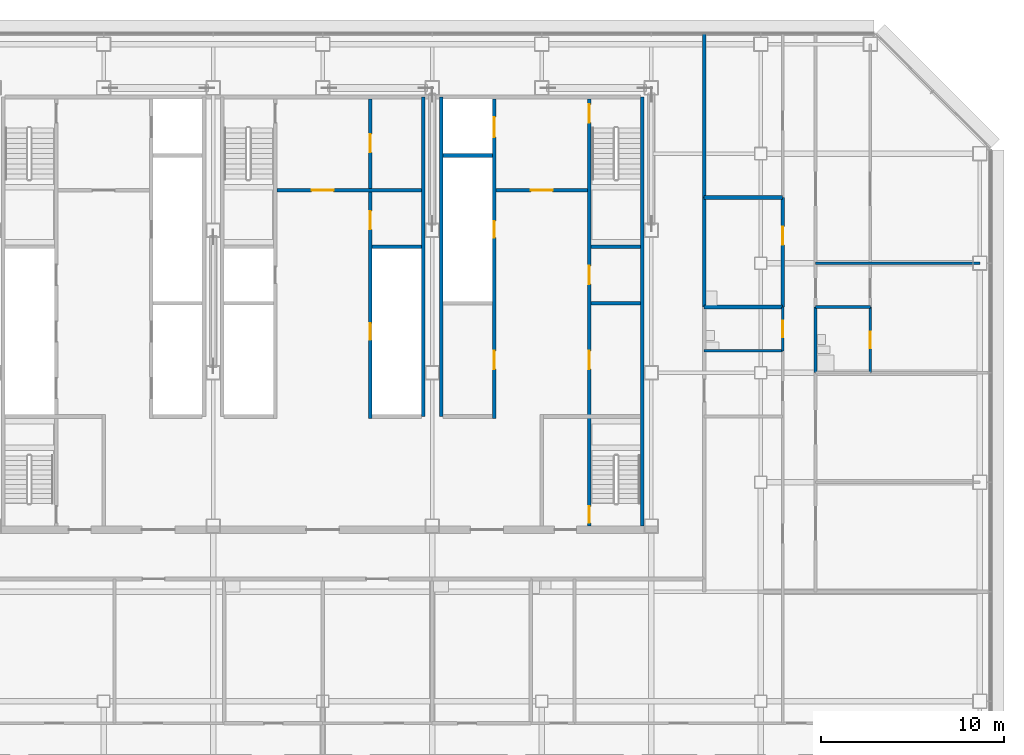
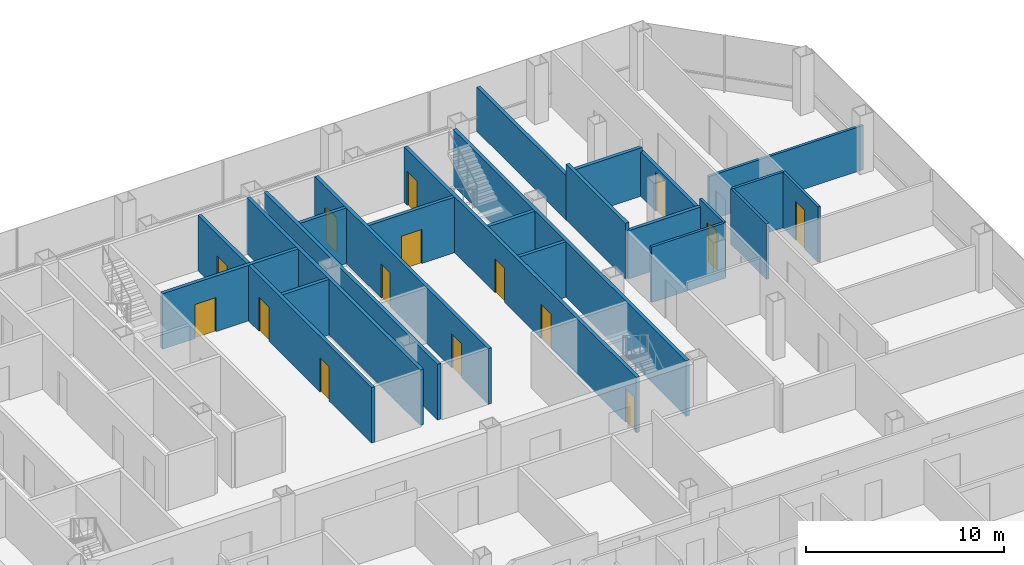
# One storey, part 22 of 25: 23 walls, 15 doors, 15 openings.
"""IFC4 building model written with IfcOpenShell, lengths in metres."""

from ifc_helpers import new_model, si_unit, direction, frame, frame_2d, origin, place, context, subcontext, project, spatial, rectangle, extrude, material, layer, layer_set, type_object, element, fill, save


model = new_model("IFC4")

# Units and contexts
model_context = context("Model", 3, precision=1e-05, world=origin(), true_north=direction((0.0, 1.0)))
body_context = subcontext(model_context, "Body", "Model", "MODEL_VIEW")
ifc_project = project(units=[si_unit("LENGTHUNIT", "METRE"), si_unit("AREAUNIT", "SQUARE_METRE"), si_unit("VOLUMEUNIT", "CUBIC_METRE"), si_unit("PLANEANGLEUNIT", "RADIAN"), si_unit("MASSUNIT", "GRAM", prefix="KILO")], contexts=[model_context])

# Site, building, storey
site_placement = place(None, origin())
site = spatial("IfcSite", under=ifc_project, at=site_placement, CompositionType="ELEMENT")
building_placement = place(site_placement, origin())
building = spatial("IfcBuilding", under=site, at=building_placement, Name="Sorahane Residences", CompositionType="ELEMENT")
storey_placement = place(building_placement, frame((0.0, 0.0, 119.60009765625)))
storey = spatial("IfcBuildingStorey", under=building, at=storey_placement, Name="L26", CompositionType="ELEMENT", Elevation=119.60009765625)

# Walls
ifc_material_1 = material(Name="Concrete C30", Category="concrete")
ifc_layer_1 = layer(ifc_material_1, 0.199951171875)
ifc_layer_set_1 = layer_set([ifc_layer_1], Name="Core face wall 200 EI 180")
wall_type_1 = type_object("IfcWallType", Name="Core face wall 200 EI 180", PredefinedType="SOLIDWALL", material=ifc_layer_set_1)
wall_1_placement = place(storey_placement, frame((41.5, 21.60009765625, 0.0), z_axis=(0.0, 0.0, 1.0), x_axis=(0.0, 1.0, 0.0)))
element("IfcWall", 1, at=wall_1_placement, inside=storey, type_object=wall_type_1, Name="L26 core face wall", PredefinedType="SOLIDWALL", context=body_context, shape_type="SweptSolid", body=[
    extrude(rectangle(XDim=23.5, YDim=0.199951171875, at=frame_2d((11.75, 0.0))), origin(), (0.0, 0.0, 1.0), 3.419921875),
])
for number, where, z_axis, x_axis, name in (
    (2, (29.5, 27.60009765625, 0.0), (0.0, 0.0, 1.0), (0.0, 1.0, 0.0), "L26 core face wall"),
    (3, (30.5, 27.60009765625, 0.0), (0.0, 0.0, 1.0), (0.0, 1.0, 0.0), "L26 core face wall"),
):
    element("IfcWall", number, at=place(storey_placement, frame(where, z_axis=z_axis, x_axis=x_axis)), inside=storey, type_object=wall_type_1, Name=name, PredefinedType="SOLIDWALL", context=body_context, shape_type="SweptSolid", body=[
        extrude(rectangle(XDim=17.5, YDim=0.199951171875, at=frame_2d((8.75, 0.0))), origin(), (0.0, 0.0, 1.0), 3.419921875),
    ])
ifc_material_2 = material(Name="Concrete blockwork C20 wall", Category="masonry")
ifc_layer_2 = layer(ifc_material_2, 0.199951171875)
ifc_layer_set_2 = layer_set([ifc_layer_2], Name="Corridor wall 200 EI 120")
wall_type_2 = type_object("IfcWallType", Name="Corridor wall 200 EI 120", PredefinedType="SOLIDWALL", material=ifc_layer_set_2)
wall_2_placement = place(storey_placement, frame((44.89990234375, 39.60009765625, 0.0), z_axis=(0.0, 0.0, 1.0), x_axis=(0.0, 1.0, 0.0)))
element("IfcWall", 4, at=wall_2_placement, inside=storey, type_object=wall_type_2, Name="L26 corridor wall", PredefinedType="SOLIDWALL", context=body_context, shape_type="SweptSolid", body=[
    extrude(rectangle(XDim=9.0, YDim=0.199951171875, at=frame_2d((4.5, 0.0))), origin(), (0.0, 0.0, 1.0), 2.719970703125),
])

# Wall, opening, door
ifc_material_3 = material(Name="Concrete C30", Category="concrete")
ifc_layer_3 = layer(ifc_material_3, 0.199951171875)
ifc_layer_set_3 = layer_set([ifc_layer_3], Name="Front room wall 200 EI 120")
wall_type_3 = type_object("IfcWallType", Name="Front room wall 200 EI 120", PredefinedType="PARTITIONING", material=ifc_layer_set_3)
wall_3_placement = place(storey_placement, frame((21.5, 40.0, 0.0), z_axis=(0.0, 0.0, 1.0), x_axis=(1.0, 0.0, 0.0)))
wall_3 = element("IfcWall", 5, at=wall_3_placement, inside=storey, type_object=wall_type_3, Name="L26 front room wall", PredefinedType="PARTITIONING", context=body_context, shape_type="SweptSolid", body=[
    extrude(rectangle(XDim=7.89990234375, YDim=0.199951171875, at=frame_2d((3.949951171875, 0.0))), origin(), (0.0, 0.0, 1.0), 3.419921875),
])
opening_1_placement = place(wall_3_placement, frame((1.89990234375, 0.0, 0.0)))
opening_1 = element("IfcOpeningElement", 6, at=opening_1_placement, cuts=wall_3, Name="Opening L26-C07", PredefinedType="OPENING", context=body_context, shape_type="SweptSolid", body=[
    extrude(rectangle(XDim=1.199951171875, YDim=2.10009765625, at=frame_2d((0.60009765625, 1.050048828125))), frame((0.0, 0.10986328125, 0.0), z_axis=(0.0, -1.0, 0.0), x_axis=(1.0, 0.0, 0.0)), (0.0, 0.0, 1.0), 0.219970703125),
])
ifc_material_4 = material(Name="Steel", Category="steel")
door_type_1 = type_object("IfcDoorType", Name="Front room door 1200x2100 FD120", OperationType="NOTDEFINED", PredefinedType="DOOR", material=ifc_material_4)
door_1_placement = place(opening_1_placement, frame((1.199951171875, 0.0, 0.0), z_axis=(0.0, 0.0, 1.0), x_axis=(-1.0, 0.0, 0.0)))
door_1 = element("IfcDoor", 7, at=door_1_placement, inside=storey, type_object=door_type_1, Name="Front room door Stair S3 vestibule L26", OperationType="DOUBLE_DOOR_SINGLE_SWING", OverallHeight=2.10009765625, OverallWidth=1.199951171875, PredefinedType="DOOR", context=body_context, shape_type="SweptSolid", body=[
    extrude(rectangle(XDim=1.199951171875, YDim=2.10009765625, at=frame_2d((0.60009765625, 1.050048828125))), frame((0.0, 0.02490234375, 0.0), z_axis=(0.0, -1.0, 0.0), x_axis=(1.0, 0.0, 0.0)), (0.0, 0.0, 1.0), 0.050048828125),
])
fill(opening_1, door_1)

wall_4_placement = place(storey_placement, frame((33.5, 40.0, 0.0), z_axis=(0.0, 0.0, 1.0), x_axis=(1.0, 0.0, 0.0)))
wall_4 = element("IfcWall", 8, at=wall_4_placement, inside=storey, type_object=wall_type_3, Name="L26 front room wall", PredefinedType="PARTITIONING", context=body_context, shape_type="SweptSolid", body=[
    extrude(rectangle(XDim=5.0, YDim=0.199951171875, at=frame_2d((2.5, 0.0))), origin(), (0.0, 0.0, 1.0), 3.419921875),
])
opening_2_placement = place(wall_4_placement, frame((1.89990234375, 0.0, 0.0)))
opening_2 = element("IfcOpeningElement", 9, at=opening_2_placement, cuts=wall_4, Name="Opening L26-C08", PredefinedType="OPENING", context=body_context, shape_type="SweptSolid", body=[
    extrude(rectangle(XDim=1.199951171875, YDim=2.10009765625, at=frame_2d((0.60009765625, 1.050048828125))), frame((0.0, 0.10986328125, 0.0), z_axis=(0.0, -1.0, 0.0), x_axis=(1.0, 0.0, 0.0)), (0.0, 0.0, 1.0), 0.219970703125),
])
door_2_placement = place(opening_2_placement, frame((1.199951171875, 0.0, 0.0), z_axis=(0.0, 0.0, 1.0), x_axis=(-1.0, 0.0, 0.0)))
door_2 = element("IfcDoor", 10, at=door_2_placement, inside=storey, type_object=door_type_1, Name="Front room door Firefighting lobby FF2 front room L26", OperationType="DOUBLE_DOOR_SINGLE_SWING", OverallHeight=2.10009765625, OverallWidth=1.199951171875, PredefinedType="DOOR", context=body_context, shape_type="SweptSolid", body=[
    extrude(rectangle(XDim=1.199951171875, YDim=2.10009765625, at=frame_2d((0.60009765625, 1.050048828125))), frame((0.0, 0.02490234375, 0.0), z_axis=(0.0, -1.0, 0.0), x_axis=(1.0, 0.0, 0.0)), (0.0, 0.0, 1.0), 0.050048828125),
])
fill(opening_2, door_2)

# Wall
ifc_material_5 = material(Name="Concrete blockwork C20 wall", Category="masonry")
ifc_layer_4 = layer(ifc_material_5, 0.199951171875)
ifc_layer_set_4 = layer_set([ifc_layer_4], Name="Kitchen wall 200 EI 180")
wall_type_4 = type_object("IfcWallType", Name="Kitchen wall 200 EI 180", PredefinedType="SOLIDWALL", material=ifc_layer_set_4)
wall_5_placement = place(storey_placement, frame((44.89990234375, 33.60009765625, 0.0), z_axis=(0.0, 0.0, 1.0), x_axis=(0.0, 1.0, 0.0)))
element("IfcWall", 11, at=wall_5_placement, inside=storey, type_object=wall_type_4, Name="L26 kitchen wall", PredefinedType="SOLIDWALL", context=body_context, shape_type="SweptSolid", body=[
    extrude(rectangle(XDim=6.0, YDim=0.199951171875, at=frame_2d((3.0, 0.0))), origin(), (0.0, 0.0, 1.0), 3.419921875),
])

# Wall, opening, door
wall_6_placement = place(storey_placement, frame((49.199951171875, 33.60009765625, 0.0), z_axis=(0.0, 0.0, 1.0), x_axis=(0.0, 1.0, 0.0)))
wall_6 = element("IfcWall", 12, at=wall_6_placement, inside=storey, type_object=wall_type_4, Name="L26 kitchen wall", PredefinedType="SOLIDWALL", context=body_context, shape_type="SweptSolid", body=[
    extrude(rectangle(XDim=6.0, YDim=0.199951171875, at=frame_2d((3.0, 0.0))), origin(), (0.0, 0.0, 1.0), 2.719970703125),
])
opening_3_placement = place(wall_6_placement, frame((3.39990234375, 0.0, 0.0)))
opening_3 = element("IfcOpeningElement", 13, at=opening_3_placement, cuts=wall_6, Name="Opening L26-31", PredefinedType="OPENING", context=body_context, shape_type="SweptSolid", body=[
    extrude(rectangle(XDim=1.0, YDim=2.39990234375, at=frame_2d((0.5, 1.199951171875))), frame((0.0, 0.10986328125, 0.0), z_axis=(0.0, -1.0, 0.0), x_axis=(1.0, 0.0, 0.0)), (0.0, 0.0, 1.0), 0.219970703125),
])
ifc_material_6 = material(Name="Steel", Category="steel")
door_type_2 = type_object("IfcDoorType", Name="Kitchen door 1000x2400 FD120", OperationType="NOTDEFINED", PredefinedType="DOOR", material=ifc_material_6)
door_3_placement = place(opening_3_placement, origin())
door_3 = element("IfcDoor", 14, at=door_3_placement, inside=storey, type_object=door_type_2, Name="Kitchen door L26-31", OperationType="SINGLE_SWING_LEFT", OverallHeight=2.39990234375, OverallWidth=1.0, PredefinedType="DOOR", context=body_context, shape_type="SweptSolid", body=[
    extrude(rectangle(XDim=1.0, YDim=2.39990234375, at=frame_2d((0.5, 1.199951171875))), frame((0.0, 0.02490234375, 0.0), z_axis=(0.0, -1.0, 0.0), x_axis=(1.0, 0.0, 0.0)), (0.0, 0.0, 1.0), 0.050048828125),
])
fill(opening_3, door_3)

# Walls
for number, where, z_axis, x_axis, name in (
    (15, (44.89990234375, 33.60009765625, 0.0), (0.0, 0.0, 1.0), (1.0, 0.0, 0.0), "L26 kitchen wall"),
    (16, (44.89990234375, 39.60009765625, 0.0), (0.0, 0.0, 1.0), (1.0, 0.0, 0.0), "L26 kitchen wall"),
):
    element("IfcWall", number, at=place(storey_placement, frame(where, z_axis=z_axis, x_axis=x_axis)), inside=storey, type_object=wall_type_4, Name=name, PredefinedType="SOLIDWALL", context=body_context, shape_type="SweptSolid", body=[
        extrude(rectangle(XDim=4.300048828125, YDim=0.199951171875, at=frame_2d((2.14990234375, 0.0))), origin(), (0.0, 0.0, 1.0), 2.969970703125),
    ])

# Wall, openings, doors
ifc_material_7 = material(Name="Concrete C30", Category="concrete")
ifc_layer_5 = layer(ifc_material_7, 0.199951171875)
ifc_layer_set_5 = layer_set([ifc_layer_5], Name="Lift shaft wall 200 EI 120")
wall_type_5 = type_object("IfcWallType", Name="Lift shaft wall 200 EI 120", PredefinedType="SOLIDWALL", material=ifc_layer_set_5)
wall_7_placement = place(storey_placement, frame((33.39990234375, 27.5, 0.0), z_axis=(0.0, 0.0, 1.0), x_axis=(0.0, 1.0, 0.0)))
wall_7 = element("IfcWall", 17, at=wall_7_placement, inside=storey, type_object=wall_type_5, Name="L26 lift shaft wall", PredefinedType="SOLIDWALL", context=body_context, shape_type="SweptSolid", body=[
    extrude(rectangle(XDim=17.5, YDim=0.199951171875, at=frame_2d((8.75, 0.0))), origin(), (0.0, 0.0, 1.0), 3.419921875),
])
opening_4_placement = place(wall_7_placement, frame((15.39990234375, 0.0, 0.0)))
opening_4 = element("IfcOpeningElement", 18, at=opening_4_placement, cuts=wall_7, Name="Opening L26-C09", PredefinedType="OPENING", context=body_context, shape_type="SweptSolid", body=[
    extrude(rectangle(XDim=1.10009765625, YDim=2.10009765625, at=frame_2d((0.550048828125, 1.050048828125))), frame((0.0, 0.10986328125, 0.0), z_axis=(0.0, -1.0, 0.0), x_axis=(1.0, 0.0, 0.0)), (0.0, 0.0, 1.0), 0.219970703125),
])
opening_5_placement = place(wall_7_placement, frame((2.699951171875, 0.0, 0.0)))
opening_5 = element("IfcOpeningElement", 19, at=opening_5_placement, cuts=wall_7, Name="Opening L26-C18", PredefinedType="OPENING", context=body_context, shape_type="SweptSolid", body=[
    extrude(rectangle(XDim=1.0, YDim=2.10009765625, at=frame_2d((0.5, 1.050048828125))), frame((0.0, 0.10986328125, 0.0), z_axis=(0.0, -1.0, 0.0), x_axis=(1.0, 0.0, 0.0)), (0.0, 0.0, 1.0), 0.219970703125),
])
opening_6_placement = place(wall_7_placement, frame((9.89990234375, 0.0, 0.0)))
opening_6 = element("IfcOpeningElement", 20, at=opening_6_placement, cuts=wall_7, Name="Opening L26-C25", PredefinedType="OPENING", context=body_context, shape_type="SweptSolid", body=[
    extrude(rectangle(XDim=0.89990234375, YDim=2.10009765625, at=frame_2d((0.449951171875, 1.050048828125))), frame((0.0, 0.10986328125, 0.0), z_axis=(0.0, -1.0, 0.0), x_axis=(1.0, 0.0, 0.0)), (0.0, 0.0, 1.0), 0.219970703125),
])
ifc_material_8 = material(Name="Aluminium and stainless steel", Category="steel")
door_type_3 = type_object("IfcDoorType", Name="Lift landing door 1100x2100 E 60", OperationType="NOTDEFINED", PredefinedType="DOOR", material=ifc_material_8)
door_4_placement = place(opening_4_placement, origin())
door_4 = element("IfcDoor", 21, at=door_4_placement, inside=storey, type_object=door_type_3, Name="Lift landing door FF2 L26", OperationType="DOUBLE_DOOR_SLIDING", OverallHeight=2.10009765625, OverallWidth=1.10009765625, PredefinedType="DOOR", context=body_context, shape_type="SweptSolid", body=[
    extrude(rectangle(XDim=1.10009765625, YDim=2.10009765625, at=frame_2d((0.550048828125, 1.050048828125))), frame((0.0, 0.02490234375, 0.0), z_axis=(0.0, -1.0, 0.0), x_axis=(1.0, 0.0, 0.0)), (0.0, 0.0, 1.0), 0.050048828125),
])
fill(opening_4, door_4)
ifc_material_9 = material(Name="Steel", Category="steel")
door_type_4 = type_object("IfcDoorType", Name="Riser door 900x2100 FD120", OperationType="NOTDEFINED", PredefinedType="DOOR", material=ifc_material_9)
door_5_placement = place(opening_6_placement, frame((0.89990234375, 0.0, 0.0), z_axis=(0.0, 0.0, 1.0), x_axis=(-1.0, 0.0, 0.0)))
door_5 = element("IfcDoor", 22, at=door_5_placement, inside=storey, type_object=door_type_4, Name="Riser door R2 L26", OperationType="SINGLE_SWING_LEFT", OverallHeight=2.10009765625, OverallWidth=0.89990234375, PredefinedType="DOOR", context=body_context, shape_type="SweptSolid", body=[
    extrude(rectangle(XDim=0.89990234375, YDim=2.10009765625, at=frame_2d((0.449951171875, 1.050048828125))), frame((0.0, 0.02490234375, 0.0), z_axis=(0.0, -1.0, 0.0), x_axis=(1.0, 0.0, 0.0)), (0.0, 0.0, 1.0), 0.050048828125),
])
fill(opening_6, door_5)
ifc_material_10 = material(Name="Steel", Category="steel")
door_type_5 = type_object("IfcDoorType", Name="Service room door 1000x2100 FD60", OperationType="NOTDEFINED", PredefinedType="DOOR", material=ifc_material_10)
door_6_placement = place(opening_5_placement, origin())
door_6 = element("IfcDoor", 23, at=door_6_placement, inside=storey, type_object=door_type_5, Name="Service room door Cinema room L26", OperationType="SINGLE_SWING_RIGHT", OverallHeight=2.10009765625, OverallWidth=1.0, PredefinedType="DOOR", context=body_context, shape_type="SweptSolid", body=[
    extrude(rectangle(XDim=1.0, YDim=2.10009765625, at=frame_2d((0.5, 1.050048828125))), frame((0.0, 0.02490234375, 0.0), z_axis=(0.0, -1.0, 0.0), x_axis=(1.0, 0.0, 0.0)), (0.0, 0.0, 1.0), 0.050048828125),
])
fill(opening_5, door_6)

# Walls
wall_8_placement = place(storey_placement, frame((30.60009765625, 41.89990234375, 0.0), z_axis=(0.0, 0.0, 1.0), x_axis=(1.0, 0.0, 0.0)))
element("IfcWall", 24, at=wall_8_placement, inside=storey, type_object=wall_type_5, Name="L26 lift shaft wall", PredefinedType="SOLIDWALL", context=body_context, shape_type="SweptSolid", body=[
    extrude(rectangle(XDim=2.699951171875, YDim=0.199951171875, at=frame_2d((1.35009765625, 0.0))), origin(), (0.0, 0.0, 1.0), 3.419921875),
])
ifc_material_11 = material(Name="Gypsum board partition on steel studs", Category="steel")
ifc_layer_6 = layer(ifc_material_11, 0.14990234375)
ifc_layer_set_6 = layer_set([ifc_layer_6], Name="Partition 150 EI 90")
wall_type_6 = type_object("IfcWallType", Name="Partition 150 EI 90", PredefinedType="PARTITIONING", material=ifc_layer_set_6)
wall_9_placement = place(storey_placement, frame((51.0, 36.0, 0.0), z_axis=(0.0, 0.0, 1.0), x_axis=(1.0, 0.0, 0.0)))
element("IfcWall", 25, at=wall_9_placement, inside=storey, type_object=wall_type_6, Name="L26 partition", PredefinedType="PARTITIONING", context=body_context, shape_type="SweptSolid", body=[
    extrude(rectangle(XDim=9.0, YDim=0.14990234375, at=frame_2d((4.5, 0.0))), origin(), (0.0, 0.0, 1.0), 2.719970703125),
])

# Wall, openings, doors
ifc_material_12 = material(Name="Concrete C30", Category="concrete")
ifc_layer_7 = layer(ifc_material_12, 0.199951171875)
ifc_layer_set_7 = layer_set([ifc_layer_7], Name="Riser shaft wall 200 EI 120")
wall_type_7 = type_object("IfcWallType", Name="Riser shaft wall 200 EI 120", PredefinedType="SOLIDWALL", material=ifc_layer_set_7)
wall_10_placement = place(storey_placement, frame((26.60009765625, 27.5, 0.0), z_axis=(0.0, 0.0, 1.0), x_axis=(0.0, 1.0, 0.0)))
wall_10 = element("IfcWall", 26, at=wall_10_placement, inside=storey, type_object=wall_type_7, Name="L26 riser wall", PredefinedType="SOLIDWALL", context=body_context, shape_type="SweptSolid", body=[
    extrude(rectangle(XDim=17.5, YDim=0.199951171875, at=frame_2d((8.75, 0.0))), origin(), (0.0, 0.0, 1.0), 3.419921875),
])
opening_7_placement = place(wall_10_placement, frame((4.300048828125, 0.0, 0.0)))
opening_7 = element("IfcOpeningElement", 27, at=opening_7_placement, cuts=wall_10, Name="Opening L26-C27", PredefinedType="OPENING", context=body_context, shape_type="SweptSolid", body=[
    extrude(rectangle(XDim=0.89990234375, YDim=2.10009765625, at=frame_2d((0.449951171875, 1.050048828125))), frame((0.0, 0.10986328125, 0.0), z_axis=(0.0, -1.0, 0.0), x_axis=(1.0, 0.0, 0.0)), (0.0, 0.0, 1.0), 0.219970703125),
])
opening_8_placement = place(wall_10_placement, frame((10.35009765625, 0.0, 0.0)))
opening_8 = element("IfcOpeningElement", 28, at=opening_8_placement, cuts=wall_10, Name="Opening L26-C28", PredefinedType="OPENING", context=body_context, shape_type="SweptSolid", body=[
    extrude(rectangle(XDim=1.0, YDim=2.10009765625, at=frame_2d((0.5, 1.050048828125))), frame((0.0, 0.10986328125, 0.0), z_axis=(0.0, -1.0, 0.0), x_axis=(1.0, 0.0, 0.0)), (0.0, 0.0, 1.0), 0.219970703125),
])
opening_9_placement = place(wall_10_placement, frame((14.574951171875, 0.0, 0.0)))
opening_9 = element("IfcOpeningElement", 29, at=opening_9_placement, cuts=wall_10, Name="Opening L26-C29", PredefinedType="OPENING", context=body_context, shape_type="SweptSolid", body=[
    extrude(rectangle(XDim=1.0, YDim=2.10009765625, at=frame_2d((0.5, 1.050048828125))), frame((0.0, 0.10986328125, 0.0), z_axis=(0.0, -1.0, 0.0), x_axis=(1.0, 0.0, 0.0)), (0.0, 0.0, 1.0), 0.219970703125),
])
door_7_placement = place(opening_7_placement, origin())
door_7 = element("IfcDoor", 30, at=door_7_placement, inside=storey, type_object=door_type_4, Name="Riser door R4 L26", OperationType="SINGLE_SWING_LEFT", OverallHeight=2.10009765625, OverallWidth=0.89990234375, PredefinedType="DOOR", context=body_context, shape_type="SweptSolid", body=[
    extrude(rectangle(XDim=0.89990234375, YDim=2.10009765625, at=frame_2d((0.449951171875, 1.050048828125))), frame((0.0, 0.02490234375, 0.0), z_axis=(0.0, -1.0, 0.0), x_axis=(1.0, 0.0, 0.0)), (0.0, 0.0, 1.0), 0.050048828125),
])
fill(opening_7, door_7)
door_8_placement = place(opening_8_placement, frame((1.0, 0.0, 0.0), z_axis=(0.0, 0.0, 1.0), x_axis=(-1.0, 0.0, 0.0)))
door_8 = element("IfcDoor", 31, at=door_8_placement, inside=storey, type_object=door_type_5, Name="Service room door Linen room L26", OperationType="SINGLE_SWING_LEFT", OverallHeight=2.10009765625, OverallWidth=1.0, PredefinedType="DOOR", context=body_context, shape_type="SweptSolid", body=[
    extrude(rectangle(XDim=1.0, YDim=2.10009765625, at=frame_2d((0.5, 1.050048828125))), frame((0.0, 0.02490234375, 0.0), z_axis=(0.0, -1.0, 0.0), x_axis=(1.0, 0.0, 0.0)), (0.0, 0.0, 1.0), 0.050048828125),
])
fill(opening_8, door_8)
door_9_placement = place(opening_9_placement, frame((1.0, 0.0, 0.0), z_axis=(0.0, 0.0, 1.0), x_axis=(-1.0, 0.0, 0.0)))
door_9 = element("IfcDoor", 32, at=door_9_placement, inside=storey, type_object=door_type_5, Name="Service room door Cleaners' store L26", OperationType="SINGLE_SWING_LEFT", OverallHeight=2.10009765625, OverallWidth=1.0, PredefinedType="DOOR", context=body_context, shape_type="SweptSolid", body=[
    extrude(rectangle(XDim=1.0, YDim=2.10009765625, at=frame_2d((0.5, 1.050048828125))), frame((0.0, 0.02490234375, 0.0), z_axis=(0.0, -1.0, 0.0), x_axis=(1.0, 0.0, 0.0)), (0.0, 0.0, 1.0), 0.050048828125),
])
fill(opening_9, door_9)

# Walls
wall_11_placement = place(storey_placement, frame((26.699951171875, 36.89990234375, 0.0), z_axis=(0.0, 0.0, 1.0), x_axis=(1.0, 0.0, 0.0)))
element("IfcWall", 33, at=wall_11_placement, inside=storey, type_object=wall_type_7, Name="L26 riser wall", PredefinedType="SOLIDWALL", context=body_context, shape_type="SweptSolid", body=[
    extrude(rectangle(XDim=2.699951171875, YDim=0.199951171875, at=frame_2d((1.35009765625, 0.0))), origin(), (0.0, 0.0, 1.0), 3.419921875),
])
ifc_material_13 = material(Name="Concrete C30", Category="concrete")
ifc_layer_8 = layer(ifc_material_13, 0.199951171875)
ifc_layer_set_8 = layer_set([ifc_layer_8], Name="Service room partition 200 EI 60")
wall_type_8 = type_object("IfcWallType", Name="Service room partition 200 EI 60", PredefinedType="PARTITIONING", material=ifc_layer_set_8)
wall_12_placement = place(storey_placement, frame((38.699951171875, 33.800048828125, 0.0), z_axis=(0.0, 0.0, 1.0), x_axis=(1.0, 0.0, 0.0)))
element("IfcWall", 34, at=wall_12_placement, inside=storey, type_object=wall_type_8, Name="L26 service room wall", PredefinedType="PARTITIONING", context=body_context, shape_type="SweptSolid", body=[
    extrude(rectangle(XDim=2.699951171875, YDim=0.199951171875, at=frame_2d((1.35009765625, 0.0))), origin(), (0.0, 0.0, 1.0), 3.419921875),
])

# Wall, openings, doors
ifc_material_14 = material(Name="Concrete C30", Category="concrete")
ifc_layer_9 = layer(ifc_material_14, 0.199951171875)
ifc_layer_set_9 = layer_set([ifc_layer_9], Name="Stair enclosure wall 200 EI 120")
wall_type_9 = type_object("IfcWallType", Name="Stair enclosure wall 200 EI 120", PredefinedType="SOLIDWALL", material=ifc_layer_set_9)
wall_13_placement = place(storey_placement, frame((38.60009765625, 21.60009765625, 0.0), z_axis=(0.0, 0.0, 1.0), x_axis=(0.0, 1.0, 0.0)))
wall_13 = element("IfcWall", 35, at=wall_13_placement, inside=storey, type_object=wall_type_9, Name="L26 stair enclosure wall", PredefinedType="SOLIDWALL", context=body_context, shape_type="SweptSolid", body=[
    extrude(rectangle(XDim=23.39990234375, YDim=0.199951171875, at=frame_2d((11.699951171875, 0.0))), origin(), (0.0, 0.0, 1.0), 3.419921875),
])
opening_10_placement = place(wall_13_placement, frame((8.60009765625, 0.0, 0.0)))
opening_10 = element("IfcOpeningElement", 36, at=opening_10_placement, cuts=wall_13, Name="Opening L26-C16", PredefinedType="OPENING", context=body_context, shape_type="SweptSolid", body=[
    extrude(rectangle(XDim=1.0, YDim=2.10009765625, at=frame_2d((0.5, 1.050048828125))), frame((0.0, 0.10986328125, 0.0), z_axis=(0.0, -1.0, 0.0), x_axis=(1.0, 0.0, 0.0)), (0.0, 0.0, 1.0), 0.219970703125),
])
opening_11_placement = place(wall_13_placement, frame((13.25, 0.0, 0.0)))
opening_11 = element("IfcOpeningElement", 37, at=opening_11_placement, cuts=wall_13, Name="Opening L26-C17", PredefinedType="OPENING", context=body_context, shape_type="SweptSolid", body=[
    extrude(rectangle(XDim=1.0, YDim=2.10009765625, at=frame_2d((0.5, 1.050048828125))), frame((0.0, 0.10986328125, 0.0), z_axis=(0.0, -1.0, 0.0), x_axis=(1.0, 0.0, 0.0)), (0.0, 0.0, 1.0), 0.219970703125),
])
opening_12_placement = place(wall_13_placement, frame((22.10009765625, 0.0, 0.0)))
opening_12 = element("IfcOpeningElement", 38, at=opening_12_placement, cuts=wall_13, Name="Opening L26-C20", PredefinedType="OPENING", context=body_context, shape_type="SweptSolid", body=[
    extrude(rectangle(XDim=1.0, YDim=2.10009765625, at=frame_2d((0.5, 1.050048828125))), frame((0.0, 0.10986328125, 0.0), z_axis=(0.0, -1.0, 0.0), x_axis=(1.0, 0.0, 0.0)), (0.0, 0.0, 1.0), 0.219970703125),
])
opening_13_placement = place(wall_13_placement, frame((0.175048828125, 0.0, 0.0)))
opening_13 = element("IfcOpeningElement", 39, at=opening_13_placement, cuts=wall_13, Name="Opening L26-C23", PredefinedType="OPENING", context=body_context, shape_type="SweptSolid", body=[
    extrude(rectangle(XDim=0.89990234375, YDim=2.10009765625, at=frame_2d((0.449951171875, 1.050048828125))), frame((0.0, 0.10986328125, 0.0), z_axis=(0.0, -1.0, 0.0), x_axis=(1.0, 0.0, 0.0)), (0.0, 0.0, 1.0), 0.219970703125),
])
door_10_placement = place(opening_10_placement, frame((1.0, 0.0, 0.0), z_axis=(0.0, 0.0, 1.0), x_axis=(-1.0, 0.0, 0.0)))
door_10 = element("IfcDoor", 40, at=door_10_placement, inside=storey, type_object=door_type_5, Name="Service room door Cinema room L26", OperationType="SINGLE_SWING_RIGHT", OverallHeight=2.10009765625, OverallWidth=1.0, PredefinedType="DOOR", context=body_context, shape_type="SweptSolid", body=[
    extrude(rectangle(XDim=1.0, YDim=2.10009765625, at=frame_2d((0.5, 1.050048828125))), frame((0.0, 0.02490234375, 0.0), z_axis=(0.0, -1.0, 0.0), x_axis=(1.0, 0.0, 0.0)), (0.0, 0.0, 1.0), 0.050048828125),
])
fill(opening_10, door_10)
door_11_placement = place(opening_11_placement, frame((1.0, 0.0, 0.0), z_axis=(0.0, 0.0, 1.0), x_axis=(-1.0, 0.0, 0.0)))
door_11 = element("IfcDoor", 41, at=door_11_placement, inside=storey, type_object=door_type_5, Name="Service room door Archive L26", OperationType="SINGLE_SWING_LEFT", OverallHeight=2.10009765625, OverallWidth=1.0, PredefinedType="DOOR", context=body_context, shape_type="SweptSolid", body=[
    extrude(rectangle(XDim=1.0, YDim=2.10009765625, at=frame_2d((0.5, 1.050048828125))), frame((0.0, 0.02490234375, 0.0), z_axis=(0.0, -1.0, 0.0), x_axis=(1.0, 0.0, 0.0)), (0.0, 0.0, 1.0), 0.050048828125),
])
fill(opening_11, door_11)
ifc_material_15 = material(Name="Steel", Category="steel")
door_type_6 = type_object("IfcDoorType", Name="Stair door 1000x2100 FD120", OperationType="NOTDEFINED", PredefinedType="DOOR", material=ifc_material_15)
door_12_placement = place(opening_12_placement, frame((1.0, 0.0, 0.0), z_axis=(0.0, 0.0, 1.0), x_axis=(-1.0, 0.0, 0.0)))
door_12 = element("IfcDoor", 42, at=door_12_placement, inside=storey, type_object=door_type_6, Name="Stair door S2 L26", OperationType="SINGLE_SWING_LEFT", OverallHeight=2.10009765625, OverallWidth=1.0, PredefinedType="DOOR", context=body_context, shape_type="SweptSolid", body=[
    extrude(rectangle(XDim=1.0, YDim=2.10009765625, at=frame_2d((0.5, 1.050048828125))), frame((0.0, 0.02490234375, 0.0), z_axis=(0.0, -1.0, 0.0), x_axis=(1.0, 0.0, 0.0)), (0.0, 0.0, 1.0), 0.050048828125),
])
fill(opening_12, door_12)
ifc_material_16 = material(Name="Steel", Category="steel")
door_type_7 = type_object("IfcDoorType", Name="Stair door 900x2100 FD120", OperationType="NOTDEFINED", PredefinedType="DOOR", material=ifc_material_16)
door_13_placement = place(opening_13_placement, frame((0.89990234375, 0.0, 0.0), z_axis=(0.0, 0.0, 1.0), x_axis=(-1.0, 0.0, 0.0)))
door_13 = element("IfcDoor", 43, at=door_13_placement, inside=storey, type_object=door_type_7, Name="Stair door S5 L26", OperationType="SINGLE_SWING_LEFT", OverallHeight=2.10009765625, OverallWidth=0.89990234375, PredefinedType="DOOR", context=body_context, shape_type="SweptSolid", body=[
    extrude(rectangle(XDim=0.89990234375, YDim=2.10009765625, at=frame_2d((0.449951171875, 1.050048828125))), frame((0.0, 0.02490234375, 0.0), z_axis=(0.0, -1.0, 0.0), x_axis=(1.0, 0.0, 0.0)), (0.0, 0.0, 1.0), 0.050048828125),
])
fill(opening_13, door_13)

# Wall
wall_14_placement = place(storey_placement, frame((38.699951171875, 36.89990234375, 0.0), z_axis=(0.0, 0.0, 1.0), x_axis=(1.0, 0.0, 0.0)))
element("IfcWall", 44, at=wall_14_placement, inside=storey, type_object=wall_type_9, Name="L26 stair enclosure wall", PredefinedType="SOLIDWALL", context=body_context, shape_type="SweptSolid", body=[
    extrude(rectangle(XDim=2.699951171875, YDim=0.199951171875, at=frame_2d((1.35009765625, 0.0))), origin(), (0.0, 0.0, 1.0), 3.419921875),
])

# Wall, opening, door
ifc_material_17 = material(Name="Gypsum board partition on steel studs", Category="steel")
ifc_layer_10 = layer(ifc_material_17, 0.14990234375)
ifc_layer_set_10 = layer_set([ifc_layer_10], Name="Wet wall 150 EI 90")
wall_type_10 = type_object("IfcWallType", Name="Wet wall 150 EI 90", PredefinedType="PARTITIONING", material=ifc_layer_set_10)
wall_15_placement = place(storey_placement, frame((49.199951171875, 31.199951171875, 0.0), z_axis=(0.0, 0.0, 1.0), x_axis=(0.0, 1.0, 0.0)))
wall_15 = element("IfcWall", 45, at=wall_15_placement, inside=storey, type_object=wall_type_10, Name="L26 wet wall", PredefinedType="PARTITIONING", context=body_context, shape_type="SweptSolid", body=[
    extrude(rectangle(XDim=2.400146484375, YDim=0.14990234375, at=frame_2d((1.2001953125, 0.0))), origin(), (0.0, 0.0, 1.0), 3.419921875),
])
opening_14_placement = place(wall_15_placement, frame((0.75, 0.0, 0.0)))
opening_14 = element("IfcOpeningElement", 46, at=opening_14_placement, cuts=wall_15, Name="Opening L26-30", PredefinedType="OPENING", context=body_context, shape_type="SweptSolid", body=[
    extrude(rectangle(XDim=0.89990234375, YDim=2.39990234375, at=frame_2d((0.449951171875, 1.199951171875))), frame((0.0, 0.0849609375, 0.0), z_axis=(0.0, -1.0, 0.0), x_axis=(1.0, 0.0, 0.0)), (0.0, 0.0, 1.0), 0.169921875),
])
ifc_material_18 = material(Name="Timber veneered fire door", Category="wood")
door_type_8 = type_object("IfcDoorType", Name="Bathroom door 900x2400 FD30", OperationType="NOTDEFINED", PredefinedType="DOOR", material=ifc_material_18)
door_14_placement = place(opening_14_placement, frame((0.89990234375, 0.0, 0.0), z_axis=(0.0, 0.0, 1.0), x_axis=(-1.0, 0.0, 0.0)))
door_14 = element("IfcDoor", 47, at=door_14_placement, inside=storey, type_object=door_type_8, Name="Bathroom door L26-30", OperationType="SINGLE_SWING_LEFT", OverallHeight=2.39990234375, OverallWidth=0.89990234375, PredefinedType="DOOR", context=body_context, shape_type="SweptSolid", body=[
    extrude(rectangle(XDim=0.89990234375, YDim=2.39990234375, at=frame_2d((0.449951171875, 1.199951171875))), frame((0.0, 0.02490234375, 0.0), z_axis=(0.0, -1.0, 0.0), x_axis=(1.0, 0.0, 0.0)), (0.0, 0.0, 1.0), 0.050048828125),
])
fill(opening_14, door_14)

# Wall
wall_16_placement = place(storey_placement, frame((51.0, 30.0, 0.0), z_axis=(0.0, 0.0, 1.0), x_axis=(0.0, 1.0, 0.0)))
element("IfcWall", 48, at=wall_16_placement, inside=storey, type_object=wall_type_10, Name="L26 wet wall", PredefinedType="PARTITIONING", context=body_context, shape_type="SweptSolid", body=[
    extrude(rectangle(XDim=3.60009765625, YDim=0.14990234375, at=frame_2d((1.800048828125, 0.0))), origin(), (0.0, 0.0, 1.0), 3.419921875),
])

# Wall, opening, door
wall_17_placement = place(storey_placement, frame((54.0, 30.0, 0.0), z_axis=(0.0, 0.0, 1.0), x_axis=(0.0, 1.0, 0.0)))
wall_17 = element("IfcWall", 49, at=wall_17_placement, inside=storey, type_object=wall_type_10, Name="L26 wet wall", PredefinedType="PARTITIONING", context=body_context, shape_type="SweptSolid", body=[
    extrude(rectangle(XDim=3.60009765625, YDim=0.14990234375, at=frame_2d((1.800048828125, 0.0))), origin(), (0.0, 0.0, 1.0), 3.419921875),
])
opening_15_placement = place(wall_17_placement, frame((1.35009765625, 0.0, 0.0)))
opening_15 = element("IfcOpeningElement", 50, at=opening_15_placement, cuts=wall_17, Name="Opening L26-38", PredefinedType="OPENING", context=body_context, shape_type="SweptSolid", body=[
    extrude(rectangle(XDim=0.89990234375, YDim=2.39990234375, at=frame_2d((0.449951171875, 1.199951171875))), frame((0.0, 0.0849609375, 0.0), z_axis=(0.0, -1.0, 0.0), x_axis=(1.0, 0.0, 0.0)), (0.0, 0.0, 1.0), 0.169921875),
])
door_15_placement = place(opening_15_placement, frame((0.89990234375, 0.0, 0.0), z_axis=(0.0, 0.0, 1.0), x_axis=(-1.0, 0.0, 0.0)))
door_15 = element("IfcDoor", 51, at=door_15_placement, inside=storey, type_object=door_type_8, Name="Bathroom door L26-38", OperationType="SINGLE_SWING_LEFT", OverallHeight=2.39990234375, OverallWidth=0.89990234375, PredefinedType="DOOR", context=body_context, shape_type="SweptSolid", body=[
    extrude(rectangle(XDim=0.89990234375, YDim=2.39990234375, at=frame_2d((0.449951171875, 1.199951171875))), frame((0.0, 0.02490234375, 0.0), z_axis=(0.0, -1.0, 0.0), x_axis=(1.0, 0.0, 0.0)), (0.0, 0.0, 1.0), 0.050048828125),
])
fill(opening_15, door_15)

# Walls
wall_18_placement = place(storey_placement, frame((44.89990234375, 31.199951171875, 0.0), z_axis=(0.0, 0.0, 1.0), x_axis=(1.0, 0.0, 0.0)))
element("IfcWall", 52, at=wall_18_placement, inside=storey, type_object=wall_type_10, Name="L26 wet wall", PredefinedType="PARTITIONING", context=body_context, shape_type="SweptSolid", body=[
    extrude(rectangle(XDim=4.300048828125, YDim=0.14990234375, at=frame_2d((2.14990234375, 0.0))), origin(), (0.0, 0.0, 1.0), 3.419921875),
])
wall_19_placement = place(storey_placement, frame((51.0, 33.60009765625, 0.0), z_axis=(0.0, 0.0, 1.0), x_axis=(1.0, 0.0, 0.0)))
element("IfcWall", 53, at=wall_19_placement, inside=storey, type_object=wall_type_10, Name="L26 wet wall", PredefinedType="PARTITIONING", context=body_context, shape_type="SweptSolid", body=[
    extrude(rectangle(XDim=3.0, YDim=0.14990234375, at=frame_2d((1.5, 0.0))), origin(), (0.0, 0.0, 1.0), 3.419921875),
])

save(model, "model.ifc")
